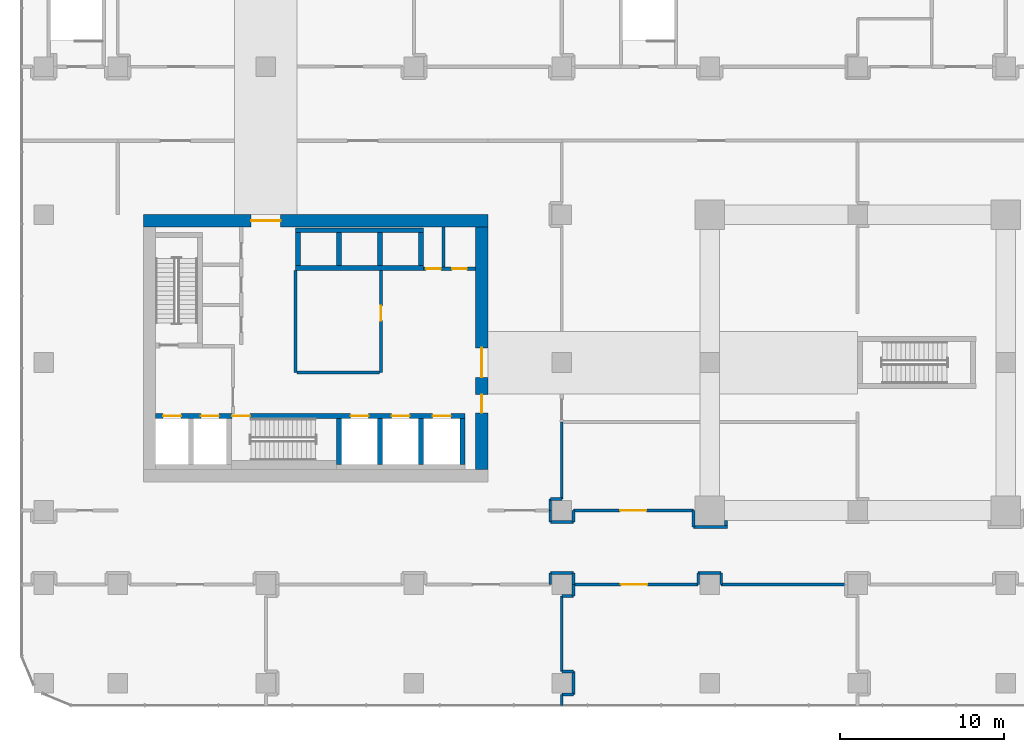
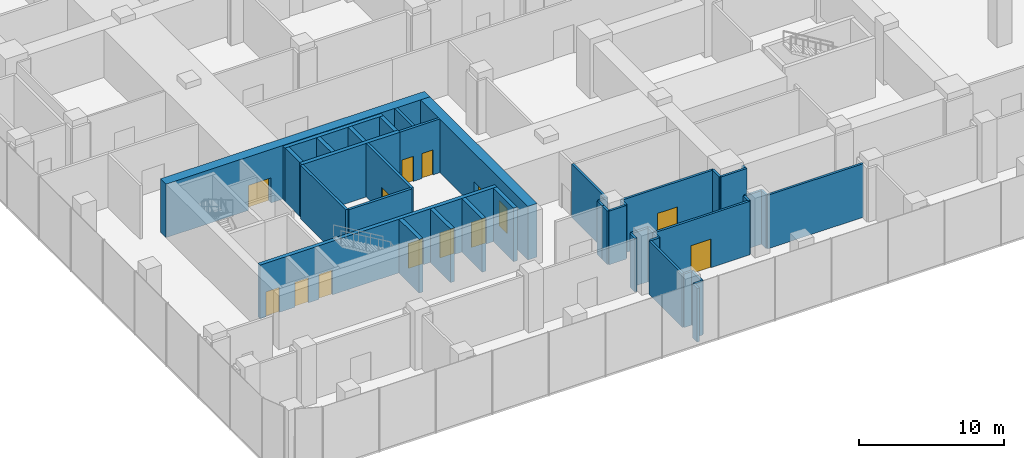
# One storey, part 24 of 36: 43 walls, 14 doors, 14 openings.
"""IFC4 building model written with IfcOpenShell, lengths in metres."""

from ifc_helpers import new_model, si_unit, direction, frame, frame_2d, origin, place, context, subcontext, project, spatial, rectangle, extrude, material, layer, layer_set, type_object, element, fill, save


model = new_model("IFC4")

# Units and contexts
model_context = context("Model", 3, precision=1e-05, world=origin(), true_north=direction((0.0, 1.0)))
body_context = subcontext(model_context, "Body", "Model", "MODEL_VIEW")
ifc_project = project(units=[si_unit("LENGTHUNIT", "METRE"), si_unit("AREAUNIT", "SQUARE_METRE"), si_unit("VOLUMEUNIT", "CUBIC_METRE"), si_unit("PLANEANGLEUNIT", "RADIAN"), si_unit("MASSUNIT", "GRAM", prefix="KILO")], contexts=[model_context])

# Site, building, storey
site_placement = place(None, origin())
site = spatial("IfcSite", under=ifc_project, at=site_placement, CompositionType="ELEMENT")
building_placement = place(site_placement, origin())
building = spatial("IfcBuilding", under=site, at=building_placement, Name="Plateau Cross Towers", CompositionType="ELEMENT")
storey_placement = place(building_placement, frame((0.0, 0.0, 21.800048828125)))
storey = spatial("IfcBuildingStorey", under=building, at=storey_placement, Name="L04", CompositionType="ELEMENT", Elevation=21.800048828125)

# Walls
ifc_material_1 = material(Name="Concrete block, plastered both sides", Category="concrete")
ifc_layer_1 = layer(ifc_material_1, 0.199951171875)
ifc_layer_set_1 = layer_set([ifc_layer_1], Name="Concrete block, plastered both sides")
wall_type_1 = type_object("IfcWallType", Name="Core partition 200", PredefinedType="PARTITIONING", material=ifc_layer_set_1)
wall_1_placement = place(storey_placement, frame((10.800048828125, 8.39990234375, 0.0), z_axis=(0.0, 0.0, 1.0), x_axis=(0.0, 1.0, 0.0)))
element("IfcWall", 1, at=wall_1_placement, inside=storey, type_object=wall_type_1, Name="Core partition", PredefinedType="PARTITIONING", context=body_context, shape_type="SweptSolid", body=[
    extrude(rectangle(XDim=6.2001953125, YDim=0.199951171875, at=frame_2d((3.10009765625, 0.0))), origin(), (0.0, 0.0, 1.0), 4.5),
])
wall_2_placement = place(storey_placement, frame((10.89990234375, 8.39990234375, 0.0), z_axis=(0.0, 0.0, 1.0), x_axis=(1.0, 0.0, 0.0)))
element("IfcWall", 2, at=wall_2_placement, inside=storey, type_object=wall_type_1, Name="Core partition", PredefinedType="PARTITIONING", context=body_context, shape_type="SweptSolid", body=[
    extrude(rectangle(XDim=5.0, YDim=0.199951171875, at=frame_2d((2.5, 0.0))), origin(), (0.0, 0.0, 1.0), 4.5),
])

# Wall, opening, door
wall_3_placement = place(storey_placement, frame((16.0, 8.39990234375, 0.0), z_axis=(0.0, 0.0, 1.0), x_axis=(0.0, 1.0, 0.0)))
wall_3 = element("IfcWall", 3, at=wall_3_placement, inside=storey, type_object=wall_type_1, Name="Core partition", PredefinedType="PARTITIONING", context=body_context, shape_type="SweptSolid", body=[
    extrude(rectangle(XDim=6.2001953125, YDim=0.199951171875, at=frame_2d((3.10009765625, 0.0))), origin(), (0.0, 0.0, 1.0), 4.5),
])
opening_1_placement = place(wall_3_placement, frame((3.14990234375, 0.0, 0.0)))
opening_1 = element("IfcOpeningElement", 4, at=opening_1_placement, cuts=wall_3, Name="Opening RD1", PredefinedType="OPENING", context=body_context, shape_type="SweptSolid", body=[
    extrude(rectangle(XDim=0.89990234375, YDim=2.10009765625, at=frame_2d((0.449951171875, 1.050048828125))), frame((0.0, 0.10986328125, 0.0), z_axis=(0.0, -1.0, 0.0), x_axis=(1.0, 0.0, 0.0)), (0.0, 0.0, 1.0), 0.219970703125),
])
ifc_material_2 = material(Name="Timber, fire-resisting leaf", Category="wood")
door_type_1 = type_object("IfcDoorType", Name="Core service door 900", OperationType="NOTDEFINED", PredefinedType="DOOR", material=ifc_material_2)
door_1_placement = place(opening_1_placement, origin())
door_1 = element("IfcDoor", 5, at=door_1_placement, inside=storey, type_object=door_type_1, Name="Core service door RD1", OperationType="SINGLE_SWING_LEFT", OverallHeight=2.10009765625, OverallWidth=0.89990234375, PredefinedType="DOOR", context=body_context, shape_type="SweptSolid", body=[
    extrude(rectangle(XDim=0.89990234375, YDim=2.10009765625, at=frame_2d((0.449951171875, 1.050048828125))), frame((0.0, 0.02490234375, 0.0), z_axis=(0.0, -1.0, 0.0), x_axis=(1.0, 0.0, 0.0)), (0.0, 0.0, 1.0), 0.050048828125),
])
fill(opening_1, door_1)

# Wall, openings, doors
wall_4_placement = place(storey_placement, frame((18.60009765625, 14.699951171875, 0.0), z_axis=(0.0, 0.0, 1.0), x_axis=(1.0, 0.0, 0.0)))
wall_4 = element("IfcWall", 6, at=wall_4_placement, inside=storey, type_object=wall_type_1, Name="Core partition", PredefinedType="PARTITIONING", context=body_context, shape_type="SweptSolid", body=[
    extrude(rectangle(XDim=3.14990234375, YDim=0.199951171875, at=frame_2d((1.574951171875, 0.0))), origin(), (0.0, 0.0, 1.0), 4.5),
])
opening_2_placement = place(wall_4_placement, frame((0.14990234375, 0.0, 0.0)))
opening_2 = element("IfcOpeningElement", 7, at=opening_2_placement, cuts=wall_4, Name="Opening RD2", PredefinedType="OPENING", context=body_context, shape_type="SweptSolid", body=[
    extrude(rectangle(XDim=0.89990234375, YDim=2.10009765625, at=frame_2d((0.449951171875, 1.050048828125))), frame((0.0, 0.10986328125, 0.0), z_axis=(0.0, -1.0, 0.0), x_axis=(1.0, 0.0, 0.0)), (0.0, 0.0, 1.0), 0.219970703125),
])
opening_3_placement = place(wall_4_placement, frame((1.72509765625, 0.0, 0.0)))
opening_3 = element("IfcOpeningElement", 8, at=opening_3_placement, cuts=wall_4, Name="Opening RD2", PredefinedType="OPENING", context=body_context, shape_type="SweptSolid", body=[
    extrude(rectangle(XDim=0.89990234375, YDim=2.10009765625, at=frame_2d((0.449951171875, 1.050048828125))), frame((0.0, 0.10986328125, 0.0), z_axis=(0.0, -1.0, 0.0), x_axis=(1.0, 0.0, 0.0)), (0.0, 0.0, 1.0), 0.219970703125),
])
ifc_material_3 = material(Name="Steel, fire-resisting leaf", Category="steel")
door_type_2 = type_object("IfcDoorType", Name="Core riser door 900", OperationType="NOTDEFINED", PredefinedType="DOOR", material=ifc_material_3)
door_2_placement = place(opening_2_placement, origin())
door_2 = element("IfcDoor", 9, at=door_2_placement, inside=storey, type_object=door_type_2, Name="Core riser door RD2", OperationType="SINGLE_SWING_LEFT", OverallHeight=2.10009765625, OverallWidth=0.89990234375, PredefinedType="DOOR", context=body_context, shape_type="SweptSolid", body=[
    extrude(rectangle(XDim=0.89990234375, YDim=2.10009765625, at=frame_2d((0.449951171875, 1.050048828125))), frame((0.0, 0.02490234375, 0.0), z_axis=(0.0, -1.0, 0.0), x_axis=(1.0, 0.0, 0.0)), (0.0, 0.0, 1.0), 0.050048828125),
])
fill(opening_2, door_2)
door_3_placement = place(opening_3_placement, origin())
door_3 = element("IfcDoor", 10, at=door_3_placement, inside=storey, type_object=door_type_2, Name="Core riser door RD2", OperationType="SINGLE_SWING_LEFT", OverallHeight=2.10009765625, OverallWidth=0.89990234375, PredefinedType="DOOR", context=body_context, shape_type="SweptSolid", body=[
    extrude(rectangle(XDim=0.89990234375, YDim=2.10009765625, at=frame_2d((0.449951171875, 1.050048828125))), frame((0.0, 0.02490234375, 0.0), z_axis=(0.0, -1.0, 0.0), x_axis=(1.0, 0.0, 0.0)), (0.0, 0.0, 1.0), 0.050048828125),
])
fill(opening_3, door_3)

# Walls
wall_5_placement = place(storey_placement, frame((19.800048828125, 14.800048828125, 0.0), z_axis=(0.0, 0.0, 1.0), x_axis=(0.0, 1.0, 0.0)))
element("IfcWall", 11, at=wall_5_placement, inside=storey, type_object=wall_type_1, Name="Core partition", PredefinedType="PARTITIONING", context=body_context, shape_type="SweptSolid", body=[
    extrude(rectangle(XDim=2.449951171875, YDim=0.199951171875, at=frame_2d((1.22509765625, 0.0))), origin(), (0.0, 0.0, 1.0), 4.5),
])
ifc_material_4 = material(Name="Concrete C60/75", Category="concrete")
ifc_layer_2 = layer(ifc_material_4, 0.300048828125)
ifc_layer_set_2 = layer_set([ifc_layer_2], Name="Concrete C60/75")
wall_type_2 = type_object("IfcWallType", Name="Core shaft wall 300", PredefinedType="SHEAR", material=ifc_layer_set_2)
for number, where, z_axis, x_axis, name in (
    (12, (13.449951171875, 2.800048828125, 0.0), (0.0, 0.0, 1.0), (0.0, 1.0, 0.0), "A-sb-v3@L04"),
    (13, (15.949951171875, 2.800048828125, 0.0), (0.0, 0.0, 1.0), (0.0, 1.0, 0.0), "A-sb-v4@L04"),
    (14, (18.449951171875, 2.800048828125, 0.0), (0.0, 0.0, 1.0), (0.0, 1.0, 0.0), "A-sb-v5@L04"),
    (15, (20.949951171875, 2.800048828125, 0.0), (0.0, 0.0, 1.0), (0.0, 1.0, 0.0), "A-sb-v6@L04"),
):
    element("IfcWall", number, at=place(storey_placement, frame(where, z_axis=z_axis, x_axis=x_axis)), inside=storey, type_object=wall_type_2, Name=name, PredefinedType="SHEAR", context=body_context, shape_type="SweptSolid", body=[
        extrude(rectangle(XDim=2.800048828125, YDim=0.300048828125, at=frame_2d((1.39990234375, 0.0))), origin(), (0.0, 0.0, 1.0), 4.5),
    ])

# Wall, openings, doors
wall_6_placement = place(storey_placement, frame((2.300048828125, 5.75, 0.0), z_axis=(0.0, 0.0, 1.0), x_axis=(1.0, 0.0, 0.0)))
wall_6 = element("IfcWall", 16, at=wall_6_placement, inside=storey, type_object=wall_type_2, Name="A-sb-front@L04", PredefinedType="SHEAR", context=body_context, shape_type="SweptSolid", body=[
    extrude(rectangle(XDim=18.800048828125, YDim=0.300048828125, at=frame_2d((9.39990234375, 0.0))), origin(), (0.0, 0.0, 1.0), 4.5),
])
opening_4_placement = place(wall_6_placement, frame((4.64990234375, 0.0, 0.0)))
opening_4 = element("IfcOpeningElement", 17, at=opening_4_placement, cuts=wall_6, Name="Opening SD", PredefinedType="OPENING", context=body_context, shape_type="SweptSolid", body=[
    extrude(rectangle(XDim=1.10009765625, YDim=2.10009765625, at=frame_2d((0.550048828125, 1.050048828125))), frame((0.0, 0.159912109375, 0.0), z_axis=(0.0, -1.0, 0.0), x_axis=(1.0, 0.0, 0.0)), (0.0, 0.0, 1.0), 0.320068359375),
])
opening_5_placement = place(wall_6_placement, frame((0.449951171875, 0.0, 0.0)))
opening_5 = element("IfcOpeningElement", 18, at=opening_5_placement, cuts=wall_6, Name="Opening LD", PredefinedType="OPENING", context=body_context, shape_type="SweptSolid", body=[
    extrude(rectangle(XDim=1.10009765625, YDim=2.10009765625, at=frame_2d((0.550048828125, 1.050048828125))), frame((0.0, 0.159912109375, 0.0), z_axis=(0.0, -1.0, 0.0), x_axis=(1.0, 0.0, 0.0)), (0.0, 0.0, 1.0), 0.320068359375),
])
opening_6_placement = place(wall_6_placement, frame((2.75, 0.0, 0.0)))
opening_6 = element("IfcOpeningElement", 19, at=opening_6_placement, cuts=wall_6, Name="Opening LD", PredefinedType="OPENING", context=body_context, shape_type="SweptSolid", body=[
    extrude(rectangle(XDim=1.10009765625, YDim=2.10009765625, at=frame_2d((0.550048828125, 1.050048828125))), frame((0.0, 0.159912109375, 0.0), z_axis=(0.0, -1.0, 0.0), x_axis=(1.0, 0.0, 0.0)), (0.0, 0.0, 1.0), 0.320068359375),
])
opening_7_placement = place(wall_6_placement, frame((11.85009765625, 0.0, 0.0)))
opening_7 = element("IfcOpeningElement", 20, at=opening_7_placement, cuts=wall_6, Name="Opening LD", PredefinedType="OPENING", context=body_context, shape_type="SweptSolid", body=[
    extrude(rectangle(XDim=1.10009765625, YDim=2.10009765625, at=frame_2d((0.550048828125, 1.050048828125))), frame((0.0, 0.159912109375, 0.0), z_axis=(0.0, -1.0, 0.0), x_axis=(1.0, 0.0, 0.0)), (0.0, 0.0, 1.0), 0.320068359375),
])
opening_8_placement = place(wall_6_placement, frame((14.35009765625, 0.0, 0.0)))
opening_8 = element("IfcOpeningElement", 21, at=opening_8_placement, cuts=wall_6, Name="Opening LD", PredefinedType="OPENING", context=body_context, shape_type="SweptSolid", body=[
    extrude(rectangle(XDim=1.10009765625, YDim=2.10009765625, at=frame_2d((0.550048828125, 1.050048828125))), frame((0.0, 0.159912109375, 0.0), z_axis=(0.0, -1.0, 0.0), x_axis=(1.0, 0.0, 0.0)), (0.0, 0.0, 1.0), 0.320068359375),
])
opening_9_placement = place(wall_6_placement, frame((16.85009765625, 0.0, 0.0)))
opening_9 = element("IfcOpeningElement", 22, at=opening_9_placement, cuts=wall_6, Name="Opening LD", PredefinedType="OPENING", context=body_context, shape_type="SweptSolid", body=[
    extrude(rectangle(XDim=1.10009765625, YDim=2.10009765625, at=frame_2d((0.550048828125, 1.050048828125))), frame((0.0, 0.159912109375, 0.0), z_axis=(0.0, -1.0, 0.0), x_axis=(1.0, 0.0, 0.0)), (0.0, 0.0, 1.0), 0.320068359375),
])
ifc_material_5 = material(Name="Stainless steel, fire-resisting sliding leaves", Category="steel")
door_type_3 = type_object("IfcDoorType", Name="Lift landing door 1100", OperationType="NOTDEFINED", PredefinedType="DOOR", material=ifc_material_5)
door_4_placement = place(opening_5_placement, origin())
door_4 = element("IfcDoor", 23, at=door_4_placement, inside=storey, type_object=door_type_3, Name="Lift landing door LD", OperationType="DOUBLE_DOOR_SLIDING", OverallHeight=2.10009765625, OverallWidth=1.10009765625, PredefinedType="DOOR", context=body_context, shape_type="SweptSolid", body=[
    extrude(rectangle(XDim=1.10009765625, YDim=2.10009765625, at=frame_2d((0.550048828125, 1.050048828125))), frame((0.0, 0.02490234375, 0.0), z_axis=(0.0, -1.0, 0.0), x_axis=(1.0, 0.0, 0.0)), (0.0, 0.0, 1.0), 0.050048828125),
])
fill(opening_5, door_4)
door_5_placement = place(opening_6_placement, origin())
door_5 = element("IfcDoor", 24, at=door_5_placement, inside=storey, type_object=door_type_3, Name="Lift landing door LD", OperationType="DOUBLE_DOOR_SLIDING", OverallHeight=2.10009765625, OverallWidth=1.10009765625, PredefinedType="DOOR", context=body_context, shape_type="SweptSolid", body=[
    extrude(rectangle(XDim=1.10009765625, YDim=2.10009765625, at=frame_2d((0.550048828125, 1.050048828125))), frame((0.0, 0.02490234375, 0.0), z_axis=(0.0, -1.0, 0.0), x_axis=(1.0, 0.0, 0.0)), (0.0, 0.0, 1.0), 0.050048828125),
])
fill(opening_6, door_5)
door_6_placement = place(opening_7_placement, origin())
door_6 = element("IfcDoor", 25, at=door_6_placement, inside=storey, type_object=door_type_3, Name="Lift landing door LD", OperationType="DOUBLE_DOOR_SLIDING", OverallHeight=2.10009765625, OverallWidth=1.10009765625, PredefinedType="DOOR", context=body_context, shape_type="SweptSolid", body=[
    extrude(rectangle(XDim=1.10009765625, YDim=2.10009765625, at=frame_2d((0.550048828125, 1.050048828125))), frame((0.0, 0.02490234375, 0.0), z_axis=(0.0, -1.0, 0.0), x_axis=(1.0, 0.0, 0.0)), (0.0, 0.0, 1.0), 0.050048828125),
])
fill(opening_7, door_6)
door_7_placement = place(opening_8_placement, origin())
door_7 = element("IfcDoor", 26, at=door_7_placement, inside=storey, type_object=door_type_3, Name="Lift landing door LD", OperationType="DOUBLE_DOOR_SLIDING", OverallHeight=2.10009765625, OverallWidth=1.10009765625, PredefinedType="DOOR", context=body_context, shape_type="SweptSolid", body=[
    extrude(rectangle(XDim=1.10009765625, YDim=2.10009765625, at=frame_2d((0.550048828125, 1.050048828125))), frame((0.0, 0.02490234375, 0.0), z_axis=(0.0, -1.0, 0.0), x_axis=(1.0, 0.0, 0.0)), (0.0, 0.0, 1.0), 0.050048828125),
])
fill(opening_8, door_7)
door_8_placement = place(opening_9_placement, origin())
door_8 = element("IfcDoor", 27, at=door_8_placement, inside=storey, type_object=door_type_3, Name="Lift landing door LD", OperationType="DOUBLE_DOOR_SLIDING", OverallHeight=2.10009765625, OverallWidth=1.10009765625, PredefinedType="DOOR", context=body_context, shape_type="SweptSolid", body=[
    extrude(rectangle(XDim=1.10009765625, YDim=2.10009765625, at=frame_2d((0.550048828125, 1.050048828125))), frame((0.0, 0.02490234375, 0.0), z_axis=(0.0, -1.0, 0.0), x_axis=(1.0, 0.0, 0.0)), (0.0, 0.0, 1.0), 0.050048828125),
])
fill(opening_9, door_8)
door_type_4 = type_object("IfcDoorType", Name="Stair door 1100", OperationType="NOTDEFINED", PredefinedType="DOOR", material=ifc_material_3)
door_9_placement = place(opening_4_placement, origin())
door_9 = element("IfcDoor", 28, at=door_9_placement, inside=storey, type_object=door_type_4, Name="Stair door SD", OperationType="SINGLE_SWING_LEFT", OverallHeight=2.10009765625, OverallWidth=1.10009765625, PredefinedType="DOOR", context=body_context, shape_type="SweptSolid", body=[
    extrude(rectangle(XDim=1.10009765625, YDim=2.10009765625, at=frame_2d((0.550048828125, 1.050048828125))), frame((0.0, 0.02490234375, 0.0), z_axis=(0.0, -1.0, 0.0), x_axis=(1.0, 0.0, 0.0)), (0.0, 0.0, 1.0), 0.050048828125),
])
fill(opening_4, door_9)

# Walls
for number, where, z_axis, x_axis, name in (
    (29, (10.800048828125, 17.050048828125, 0.0), (0.0, 0.0, 1.0), (1.0, 0.0, 0.0), "A-nb-back@L04"),
    (30, (10.800048828125, 14.75, 0.0), (0.0, 0.0, 1.0), (1.0, 0.0, 0.0), "A-nb-front@L04"),
):
    element("IfcWall", number, at=place(storey_placement, frame(where, z_axis=z_axis, x_axis=x_axis)), inside=storey, type_object=wall_type_2, Name=name, PredefinedType="SHEAR", context=body_context, shape_type="SweptSolid", body=[
        extrude(rectangle(XDim=7.800048828125, YDim=0.300048828125, at=frame_2d((3.89990234375, 0.0))), origin(), (0.0, 0.0, 1.0), 4.5),
    ])
for number, where, z_axis, x_axis, name in (
    (31, (10.949951171875, 14.89990234375, 0.0), (0.0, 0.0, 1.0), (0.0, 1.0, 0.0), "A-nb-v1@L04"),
    (32, (13.449951171875, 14.89990234375, 0.0), (0.0, 0.0, 1.0), (0.0, 1.0, 0.0), "A-nb-v2@L04"),
    (33, (15.949951171875, 14.89990234375, 0.0), (0.0, 0.0, 1.0), (0.0, 1.0, 0.0), "A-nb-v3@L04"),
    (34, (18.449951171875, 14.89990234375, 0.0), (0.0, 0.0, 1.0), (0.0, 1.0, 0.0), "A-nb-v4@L04"),
):
    element("IfcWall", number, at=place(storey_placement, frame(where, z_axis=z_axis, x_axis=x_axis)), inside=storey, type_object=wall_type_2, Name=name, PredefinedType="SHEAR", context=body_context, shape_type="SweptSolid", body=[
        extrude(rectangle(XDim=2.0, YDim=0.300048828125, at=frame_2d((1.0, 0.0))), origin(), (0.0, 0.0, 1.0), 4.5),
    ])

# Wall, opening, door
ifc_layer_3 = layer(ifc_material_4, 0.75)
ifc_layer_set_3 = layer_set([ifc_layer_3], Name="Concrete C60/75")
wall_type_3 = type_object("IfcWallType", Name="Core shell wall 750", PredefinedType="SHEAR", material=ifc_layer_set_3)
wall_7_placement = place(storey_placement, frame((1.550048828125, 17.625, 0.0), z_axis=(0.0, 0.0, 1.0), x_axis=(1.0, 0.0, 0.0)))
wall_7 = element("IfcWall", 35, at=wall_7_placement, inside=storey, type_object=wall_type_3, Name="A-core-N@L04", PredefinedType="SHEAR", context=body_context, shape_type="SweptSolid", body=[
    extrude(rectangle(XDim=20.949951171875, YDim=0.75, at=frame_2d((10.47509765625, 0.0))), origin(), (0.0, 0.0, 1.0), 4.5),
])
opening_10_placement = place(wall_7_placement, frame((6.550048828125, 0.0, 0.0)))
opening_10 = element("IfcOpeningElement", 36, at=opening_10_placement, cuts=wall_7, Name="Opening CD", PredefinedType="OPENING", context=body_context, shape_type="SweptSolid", body=[
    extrude(rectangle(XDim=1.800048828125, YDim=2.10009765625, at=frame_2d((0.89990234375, 1.050048828125))), frame((0.0, 0.385009765625, 0.0), z_axis=(0.0, -1.0, 0.0), x_axis=(1.0, 0.0, 0.0)), (0.0, 0.0, 1.0), 0.77001953125),
])
ifc_material_6 = material(Name="Steel, fire-resisting leaves", Category="steel")
door_type_5 = type_object("IfcDoorType", Name="Corridor door pair 1800", OperationType="NOTDEFINED", PredefinedType="DOOR", material=ifc_material_6)
door_10_placement = place(opening_10_placement, origin())
door_10 = element("IfcDoor", 37, at=door_10_placement, inside=storey, type_object=door_type_5, Name="Corridor door pair CD", OperationType="DOUBLE_DOOR_SINGLE_SWING", OverallHeight=2.10009765625, OverallWidth=1.800048828125, PredefinedType="DOOR", context=body_context, shape_type="SweptSolid", body=[
    extrude(rectangle(XDim=1.800048828125, YDim=2.10009765625, at=frame_2d((0.89990234375, 1.050048828125))), frame((0.0, 0.02490234375, 0.0), z_axis=(0.0, -1.0, 0.0), x_axis=(1.0, 0.0, 0.0)), (0.0, 0.0, 1.0), 0.050048828125),
])
fill(opening_10, door_10)

# Wall, openings, doors
wall_8_placement = place(storey_placement, frame((22.125, 2.5, 0.0), z_axis=(0.0, 0.0, 1.0), x_axis=(0.0, 1.0, 0.0)))
wall_8 = element("IfcWall", 38, at=wall_8_placement, inside=storey, type_object=wall_type_3, Name="A-core-E@L04", PredefinedType="SHEAR", context=body_context, shape_type="SweptSolid", body=[
    extrude(rectangle(XDim=14.75, YDim=0.75, at=frame_2d((7.375, 0.0))), origin(), (0.0, 0.0, 1.0), 4.5),
])
opening_11_placement = place(wall_8_placement, frame((5.60009765625, 0.0, 0.0)))
opening_11 = element("IfcOpeningElement", 39, at=opening_11_placement, cuts=wall_8, Name="Opening CD", PredefinedType="OPENING", context=body_context, shape_type="SweptSolid", body=[
    extrude(rectangle(XDim=1.800048828125, YDim=2.10009765625, at=frame_2d((0.89990234375, 1.050048828125))), frame((0.0, 0.385009765625, 0.0), z_axis=(0.0, -1.0, 0.0), x_axis=(1.0, 0.0, 0.0)), (0.0, 0.0, 1.0), 0.77001953125),
])
opening_12_placement = place(wall_8_placement, frame((3.449951171875, 0.0, 0.0)))
opening_12 = element("IfcOpeningElement", 40, at=opening_12_placement, cuts=wall_8, Name="Opening CD1", PredefinedType="OPENING", context=body_context, shape_type="SweptSolid", body=[
    extrude(rectangle(XDim=1.10009765625, YDim=2.10009765625, at=frame_2d((0.550048828125, 1.050048828125))), frame((0.0, 0.385009765625, 0.0), z_axis=(0.0, -1.0, 0.0), x_axis=(1.0, 0.0, 0.0)), (0.0, 0.0, 1.0), 0.77001953125),
])
door_type_6 = type_object("IfcDoorType", Name="Corridor door 1100", OperationType="NOTDEFINED", PredefinedType="DOOR", material=ifc_material_3)
door_11_placement = place(opening_12_placement, origin())
door_11 = element("IfcDoor", 41, at=door_11_placement, inside=storey, type_object=door_type_6, Name="Corridor door CD1", OperationType="SINGLE_SWING_RIGHT", OverallHeight=2.10009765625, OverallWidth=1.10009765625, PredefinedType="DOOR", context=body_context, shape_type="SweptSolid", body=[
    extrude(rectangle(XDim=1.10009765625, YDim=2.10009765625, at=frame_2d((0.550048828125, 1.050048828125))), frame((0.0, 0.02490234375, 0.0), z_axis=(0.0, -1.0, 0.0), x_axis=(1.0, 0.0, 0.0)), (0.0, 0.0, 1.0), 0.050048828125),
])
fill(opening_12, door_11)
door_12_placement = place(opening_11_placement, origin())
door_12 = element("IfcDoor", 42, at=door_12_placement, inside=storey, type_object=door_type_5, Name="Corridor door pair CD", OperationType="DOUBLE_DOOR_SINGLE_SWING", OverallHeight=2.10009765625, OverallWidth=1.800048828125, PredefinedType="DOOR", context=body_context, shape_type="SweptSolid", body=[
    extrude(rectangle(XDim=1.800048828125, YDim=2.10009765625, at=frame_2d((0.89990234375, 1.050048828125))), frame((0.0, 0.02490234375, 0.0), z_axis=(0.0, -1.0, 0.0), x_axis=(1.0, 0.0, 0.0)), (0.0, 0.0, 1.0), 0.050048828125),
])
fill(opening_11, door_12)

# Walls
ifc_material_7 = material(Name="Dense masonry block, plastered, acoustic lining", Category="masonry")
ifc_layer_4 = layer(ifc_material_7, 0.179931640625)
ifc_layer_set_4 = layer_set([ifc_layer_4], Name="Dense masonry block, plastered, acoustic lining")
wall_type_4 = type_object("IfcWallType", Name="Plant room acoustic wall 180", PredefinedType="PARTITIONING", material=ifc_layer_set_4)
wall_9_placement = place(storey_placement, frame((26.300048828125, 0.0, 0.0), z_axis=(0.0, 0.0, 1.0), x_axis=(0.0, -1.0, 0.0)))
element("IfcWall", 43, at=wall_9_placement, inside=storey, type_object=wall_type_4, Name="Partition wall", PredefinedType="PARTITIONING", context=body_context, shape_type="SweptSolid", body=[
    extrude(rectangle(XDim=0.699951171875, YDim=0.179931640625, at=frame_2d((0.35009765625, 0.0))), origin(), (0.0, 0.0, 1.0), 4.5),
])
wall_10_placement = place(storey_placement, frame((26.300048828125, -0.699951171875, 0.0), z_axis=(0.0, 0.0, 1.0), x_axis=(1.0, 0.0, 0.0)))
element("IfcWall", 44, at=wall_10_placement, inside=storey, type_object=wall_type_4, Name="Partition wall", PredefinedType="PARTITIONING", context=body_context, shape_type="SweptSolid", body=[
    extrude(rectangle(XDim=1.39990234375, YDim=0.179931640625, at=frame_2d((0.699951171875, 0.0))), origin(), (0.0, 0.0, 1.0), 4.5),
])
wall_11_placement = place(storey_placement, frame((27.699951171875, -0.699951171875, 0.0), z_axis=(0.0, 0.0, 1.0), x_axis=(0.0, 1.0, 0.0)))
element("IfcWall", 45, at=wall_11_placement, inside=storey, type_object=wall_type_4, Name="Partition wall", PredefinedType="PARTITIONING", context=body_context, shape_type="SweptSolid", body=[
    extrude(rectangle(XDim=0.699951171875, YDim=0.179931640625, at=frame_2d((0.35009765625, 0.0))), origin(), (0.0, 0.0, 1.0), 4.5),
])

# Wall, opening, door
wall_12_placement = place(storey_placement, frame((27.699951171875, 0.0, 0.0), z_axis=(0.0, 0.0, 1.0), x_axis=(1.0, 0.0, 0.0)))
wall_12 = element("IfcWall", 46, at=wall_12_placement, inside=storey, type_object=wall_type_4, Name="Partition wall", PredefinedType="PARTITIONING", context=body_context, shape_type="SweptSolid", body=[
    extrude(rectangle(XDim=7.300048828125, YDim=0.179931640625, at=frame_2d((3.64990234375, 0.0))), origin(), (0.0, 0.0, 1.0), 4.5),
])
opening_13_placement = place(wall_12_placement, frame((2.85009765625, 0.0, 0.0)))
opening_13 = element("IfcOpeningElement", 47, at=opening_13_placement, cuts=wall_12, Name="Opening 04-29", PredefinedType="OPENING", context=body_context, shape_type="SweptSolid", body=[
    extrude(rectangle(XDim=1.60009765625, YDim=2.39990234375, at=frame_2d((0.800048828125, 1.199951171875))), frame((0.0, 0.099853515625, 0.0), z_axis=(0.0, -1.0, 0.0), x_axis=(1.0, 0.0, 0.0)), (0.0, 0.0, 1.0), 0.199951171875),
])
ifc_material_8 = material(Name="Steel, fire-resisting double leaf with louvre panel", Category="steel")
door_type_7 = type_object("IfcDoorType", Name="Plant room double door 1600x2400", OperationType="NOTDEFINED", PredefinedType="DOOR", material=ifc_material_8)
door_13_placement = place(opening_13_placement, origin())
door_13 = element("IfcDoor", 48, at=door_13_placement, inside=storey, type_object=door_type_7, Name="Door 04-29", OperationType="SINGLE_SWING_LEFT", OverallHeight=2.39990234375, OverallWidth=1.60009765625, PredefinedType="DOOR", context=body_context, shape_type="SweptSolid", body=[
    extrude(rectangle(XDim=1.60009765625, YDim=2.39990234375, at=frame_2d((0.800048828125, 1.199951171875))), frame((0.0, 0.02490234375, 0.0), z_axis=(0.0, -1.0, 0.0), x_axis=(1.0, 0.0, 0.0)), (0.0, 0.0, 1.0), 0.050048828125),
])
fill(opening_13, door_13)

# Walls
wall_13_placement = place(storey_placement, frame((35.0, 0.0, 0.0), z_axis=(0.0, 0.0, 1.0), x_axis=(0.0, -1.0, 0.0)))
element("IfcWall", 49, at=wall_13_placement, inside=storey, type_object=wall_type_4, Name="Partition wall", PredefinedType="PARTITIONING", context=body_context, shape_type="SweptSolid", body=[
    extrude(rectangle(XDim=1.0, YDim=0.179931640625, at=frame_2d((0.5, 0.0))), origin(), (0.0, 0.0, 1.0), 4.5),
])
wall_14_placement = place(storey_placement, frame((35.0, -1.0, 0.0), z_axis=(0.0, 0.0, 1.0), x_axis=(1.0, 0.0, 0.0)))
element("IfcWall", 50, at=wall_14_placement, inside=storey, type_object=wall_type_4, Name="Partition wall", PredefinedType="PARTITIONING", context=body_context, shape_type="SweptSolid", body=[
    extrude(rectangle(XDim=2.090087890625, YDim=0.179931640625, at=frame_2d((1.044921875, 0.0))), origin(), (0.0, 0.0, 1.0), 4.5),
])
wall_15_placement = place(storey_placement, frame((37.0, -0.909912109375, 0.0), z_axis=(0.0, 0.0, 1.0), x_axis=(0.0, 1.0, 0.0)))
element("IfcWall", 51, at=wall_15_placement, inside=storey, type_object=wall_type_4, Name="Partition wall", PredefinedType="PARTITIONING", context=body_context, shape_type="SweptSolid", body=[
    extrude(rectangle(XDim=0.309814453125, YDim=0.179931640625, at=frame_2d((0.15478515625, 0.0))), origin(), (0.0, 0.0, 1.0), 4.5),
])
wall_16_placement = place(storey_placement, frame((27.699951171875, -4.5, 0.0), z_axis=(0.0, 0.0, 1.0), x_axis=(0.0, 1.0, 0.0)))
element("IfcWall", 52, at=wall_16_placement, inside=storey, type_object=wall_type_4, Name="Partition wall", PredefinedType="PARTITIONING", context=body_context, shape_type="SweptSolid", body=[
    extrude(rectangle(XDim=0.699951171875, YDim=0.179931640625, at=frame_2d((0.35009765625, 0.0))), origin(), (0.0, 0.0, 1.0), 4.5),
])
wall_17_placement = place(storey_placement, frame((27.699951171875, -3.800048828125, 0.0), z_axis=(0.0, 0.0, 1.0), x_axis=(-1.0, 0.0, 0.0)))
element("IfcWall", 53, at=wall_17_placement, inside=storey, type_object=wall_type_4, Name="Partition wall", PredefinedType="PARTITIONING", context=body_context, shape_type="SweptSolid", body=[
    extrude(rectangle(XDim=1.39990234375, YDim=0.179931640625, at=frame_2d((0.699951171875, 0.0))), origin(), (0.0, 0.0, 1.0), 4.5),
])
wall_18_placement = place(storey_placement, frame((26.300048828125, -3.800048828125, 0.0), z_axis=(0.0, 0.0, 1.0), x_axis=(0.0, -1.0, 0.0)))
element("IfcWall", 54, at=wall_18_placement, inside=storey, type_object=wall_type_4, Name="Partition wall", PredefinedType="PARTITIONING", context=body_context, shape_type="SweptSolid", body=[
    extrude(rectangle(XDim=0.699951171875, YDim=0.179931640625, at=frame_2d((0.35009765625, 0.0))), origin(), (0.0, 0.0, 1.0), 4.5),
])
wall_19_placement = place(storey_placement, frame((44.300048828125, -4.5, 0.0), z_axis=(0.0, 0.0, 1.0), x_axis=(-1.0, 0.0, 0.0)))
element("IfcWall", 55, at=wall_19_placement, inside=storey, type_object=wall_type_4, Name="Partition wall", PredefinedType="PARTITIONING", context=body_context, shape_type="SweptSolid", body=[
    extrude(rectangle(XDim=7.60009765625, YDim=0.179931640625, at=frame_2d((3.800048828125, 0.0))), origin(), (0.0, 0.0, 1.0), 4.5),
])
wall_20_placement = place(storey_placement, frame((36.699951171875, -4.5, 0.0), z_axis=(0.0, 0.0, 1.0), x_axis=(0.0, 1.0, 0.0)))
element("IfcWall", 56, at=wall_20_placement, inside=storey, type_object=wall_type_4, Name="Partition wall", PredefinedType="PARTITIONING", context=body_context, shape_type="SweptSolid", body=[
    extrude(rectangle(XDim=0.699951171875, YDim=0.179931640625, at=frame_2d((0.35009765625, 0.0))), origin(), (0.0, 0.0, 1.0), 4.5),
])
wall_21_placement = place(storey_placement, frame((36.699951171875, -3.800048828125, 0.0), z_axis=(0.0, 0.0, 1.0), x_axis=(-1.0, 0.0, 0.0)))
element("IfcWall", 57, at=wall_21_placement, inside=storey, type_object=wall_type_4, Name="Partition wall", PredefinedType="PARTITIONING", context=body_context, shape_type="SweptSolid", body=[
    extrude(rectangle(XDim=1.39990234375, YDim=0.179931640625, at=frame_2d((0.699951171875, 0.0))), origin(), (0.0, 0.0, 1.0), 4.5),
])
wall_22_placement = place(storey_placement, frame((35.300048828125, -3.800048828125, 0.0), z_axis=(0.0, 0.0, 1.0), x_axis=(0.0, -1.0, 0.0)))
element("IfcWall", 58, at=wall_22_placement, inside=storey, type_object=wall_type_4, Name="Partition wall", PredefinedType="PARTITIONING", context=body_context, shape_type="SweptSolid", body=[
    extrude(rectangle(XDim=0.699951171875, YDim=0.179931640625, at=frame_2d((0.35009765625, 0.0))), origin(), (0.0, 0.0, 1.0), 4.5),
])

# Wall, opening, door
wall_23_placement = place(storey_placement, frame((35.300048828125, -4.5, 0.0), z_axis=(0.0, 0.0, 1.0), x_axis=(-1.0, 0.0, 0.0)))
wall_23 = element("IfcWall", 59, at=wall_23_placement, inside=storey, type_object=wall_type_4, Name="Partition wall", PredefinedType="PARTITIONING", context=body_context, shape_type="SweptSolid", body=[
    extrude(rectangle(XDim=7.60009765625, YDim=0.179931640625, at=frame_2d((3.800048828125, 0.0))), origin(), (0.0, 0.0, 1.0), 4.5),
])
opening_14_placement = place(wall_23_placement, frame((3.10009765625, 0.0, 0.0)))
opening_14 = element("IfcOpeningElement", 60, at=opening_14_placement, cuts=wall_23, Name="Opening 04-13", PredefinedType="OPENING", context=body_context, shape_type="SweptSolid", body=[
    extrude(rectangle(XDim=1.60009765625, YDim=2.39990234375, at=frame_2d((0.800048828125, 1.199951171875))), frame((0.0, 0.099853515625, 0.0), z_axis=(0.0, -1.0, 0.0), x_axis=(1.0, 0.0, 0.0)), (0.0, 0.0, 1.0), 0.199951171875),
])
door_14_placement = place(opening_14_placement, origin())
door_14 = element("IfcDoor", 61, at=door_14_placement, inside=storey, type_object=door_type_7, Name="Door 04-13", OperationType="SINGLE_SWING_LEFT", OverallHeight=2.39990234375, OverallWidth=1.60009765625, PredefinedType="DOOR", context=body_context, shape_type="SweptSolid", body=[
    extrude(rectangle(XDim=1.60009765625, YDim=2.39990234375, at=frame_2d((0.800048828125, 1.199951171875))), frame((0.0, 0.02490234375, 0.0), z_axis=(0.0, -1.0, 0.0), x_axis=(1.0, 0.0, 0.0)), (0.0, 0.0, 1.0), 0.050048828125),
])
fill(opening_14, door_14)

# Walls
for number, where, z_axis, x_axis, name in (
    (62, (27.699951171875, -4.5, 0.0), (0.0, 0.0, 1.0), (0.0, -1.0, 0.0), "Partition wall"),
    (63, (27.699951171875, -5.199951171875, 0.0), (0.0, 0.0, 1.0), (-1.0, 0.0, 0.0), "Partition wall"),
):
    element("IfcWall", number, at=place(storey_placement, frame(where, z_axis=z_axis, x_axis=x_axis)), inside=storey, type_object=wall_type_4, Name=name, PredefinedType="PARTITIONING", context=body_context, shape_type="SweptSolid", body=[
        extrude(rectangle(XDim=0.699951171875, YDim=0.179931640625, at=frame_2d((0.35009765625, 0.0))), origin(), (0.0, 0.0, 1.0), 4.5),
    ])
wall_24_placement = place(storey_placement, frame((27.0, -5.199951171875, 0.0), z_axis=(0.0, 0.0, 1.0), x_axis=(0.0, -1.0, 0.0)))
element("IfcWall", 64, at=wall_24_placement, inside=storey, type_object=wall_type_4, Name="Partition wall", PredefinedType="PARTITIONING", context=body_context, shape_type="SweptSolid", body=[
    extrude(rectangle(XDim=4.60009765625, YDim=0.179931640625, at=frame_2d((2.300048828125, 0.0))), origin(), (0.0, 0.0, 1.0), 4.5),
])
wall_25_placement = place(storey_placement, frame((27.0, -9.800048828125, 0.0), z_axis=(0.0, 0.0, 1.0), x_axis=(1.0, 0.0, 0.0)))
element("IfcWall", 65, at=wall_25_placement, inside=storey, type_object=wall_type_4, Name="Partition wall", PredefinedType="PARTITIONING", context=body_context, shape_type="SweptSolid", body=[
    extrude(rectangle(XDim=0.699951171875, YDim=0.179931640625, at=frame_2d((0.35009765625, 0.0))), origin(), (0.0, 0.0, 1.0), 4.5),
])
wall_26_placement = place(storey_placement, frame((27.699951171875, -9.800048828125, 0.0), z_axis=(0.0, 0.0, 1.0), x_axis=(0.0, -1.0, 0.0)))
element("IfcWall", 66, at=wall_26_placement, inside=storey, type_object=wall_type_4, Name="Partition wall", PredefinedType="PARTITIONING", context=body_context, shape_type="SweptSolid", body=[
    extrude(rectangle(XDim=1.39990234375, YDim=0.179931640625, at=frame_2d((0.699951171875, 0.0))), origin(), (0.0, 0.0, 1.0), 4.5),
])
wall_27_placement = place(storey_placement, frame((27.699951171875, -11.199951171875, 0.0), z_axis=(0.0, 0.0, 1.0), x_axis=(-1.0, 0.0, 0.0)))
element("IfcWall", 67, at=wall_27_placement, inside=storey, type_object=wall_type_4, Name="Partition wall", PredefinedType="PARTITIONING", context=body_context, shape_type="SweptSolid", body=[
    extrude(rectangle(XDim=0.699951171875, YDim=0.179931640625, at=frame_2d((0.35009765625, 0.0))), origin(), (0.0, 0.0, 1.0), 4.5),
])
wall_28_placement = place(storey_placement, frame((27.0, -11.199951171875, 0.0), z_axis=(0.0, 0.0, 1.0), x_axis=(0.0, -1.0, 0.0)))
element("IfcWall", 68, at=wall_28_placement, inside=storey, type_object=wall_type_4, Name="Partition wall", PredefinedType="PARTITIONING", context=body_context, shape_type="SweptSolid", body=[
    extrude(rectangle(XDim=0.650146484375, YDim=0.179931640625, at=frame_2d((0.3251953125, 0.0))), origin(), (0.0, 0.0, 1.0), 4.5),
])
wall_29_placement = place(storey_placement, frame((27.0, 5.39990234375, 0.0), z_axis=(0.0, 0.0, 1.0), x_axis=(0.0, -1.0, 0.0)))
element("IfcWall", 69, at=wall_29_placement, inside=storey, type_object=wall_type_4, Name="Partition wall", PredefinedType="PARTITIONING", context=body_context, shape_type="SweptSolid", body=[
    extrude(rectangle(XDim=4.699951171875, YDim=0.179931640625, at=frame_2d((2.35009765625, 0.0))), origin(), (0.0, 0.0, 1.0), 4.5),
])
for number, where, z_axis, x_axis, name in (
    (70, (27.0, 0.699951171875, 0.0), (0.0, 0.0, 1.0), (-1.0, 0.0, 0.0), "Partition wall"),
    (71, (26.300048828125, 0.699951171875, 0.0), (0.0, 0.0, 1.0), (0.0, -1.0, 0.0), "Partition wall"),
):
    element("IfcWall", number, at=place(storey_placement, frame(where, z_axis=z_axis, x_axis=x_axis)), inside=storey, type_object=wall_type_4, Name=name, PredefinedType="PARTITIONING", context=body_context, shape_type="SweptSolid", body=[
        extrude(rectangle(XDim=0.699951171875, YDim=0.179931640625, at=frame_2d((0.35009765625, 0.0))), origin(), (0.0, 0.0, 1.0), 4.5),
    ])

save(model, "model.ifc")
